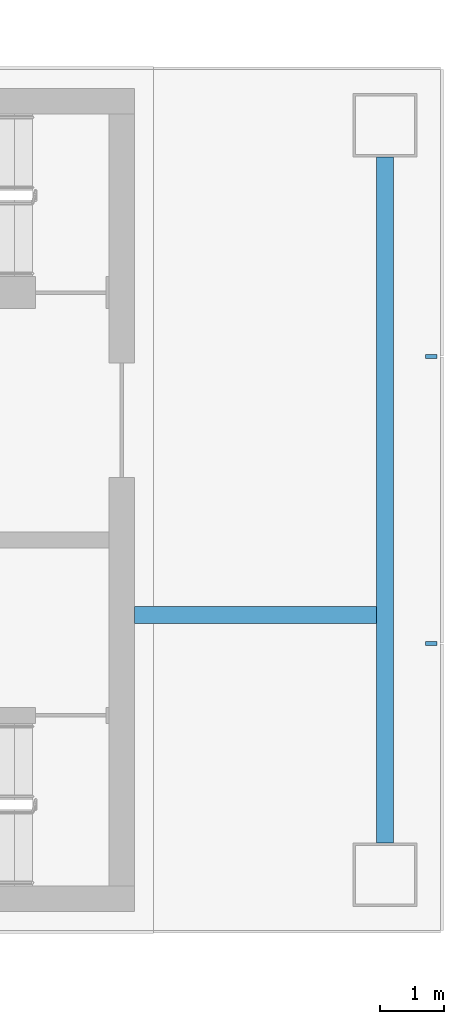
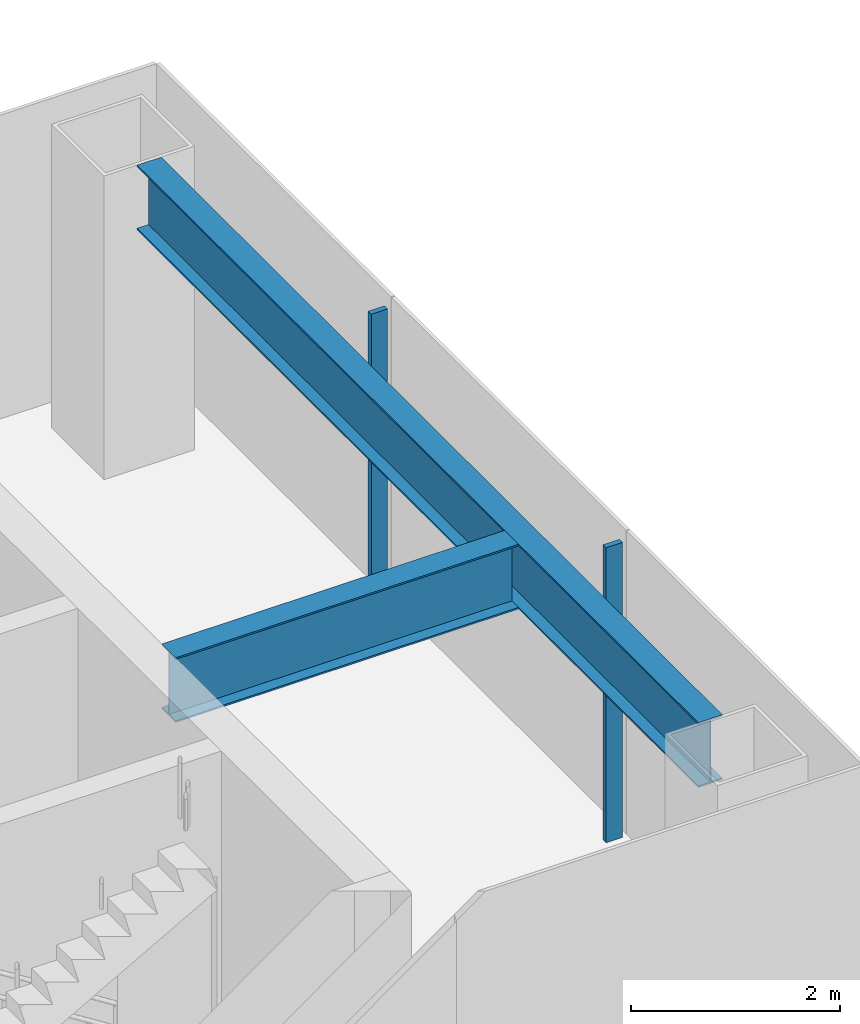
# One storey, part 6 of 16: 2 beams, 2 members, 1 element without a shape of its own.
"""IFC4 building model written with IfcOpenShell, lengths in metres."""

import ifcopenshell
import ifcopenshell.guid

model = None  # the IFC model being written
_history = None  # IfcOwnerHistory: only IFC2X3 demands one
_inside = {}  # id of a spatial element -> (the spatial element, [elements in it])
_under = {}  # id of a project, library or spatial element -> (it, [spatial elements below it])
_declared = {}  # id of a project -> (the project, [libraries it declares])
_typed = {}  # id of a type object -> (the type object, [elements of that type])
_made_of = {}  # id of a material, layer set ... -> (it, [elements and type objects made of it])


def new_model(schema):
    """Start an empty IFC model of exactly this schema.

    Asked for "IFC4X3", IfcOpenShell would pick the latest addendum, in which some entities
    have other attributes; the version numbers below select the first issue.
    IFC2X3 requires an IfcOwnerHistory on every rooted entity: one is made here for all.
    """
    global model, _history
    if schema == "IFC4X3":
        model = ifcopenshell.file(schema_version=(4, 3, 0, 0))
    else:
        model = ifcopenshell.file(schema=schema)
    _inside.clear()
    _under.clear()
    _declared.clear()
    _typed.clear()
    _made_of.clear()
    _history = None
    if model.schema == "IFC2X3":
        org = make("IfcOrganization", Name="unknown")
        user = make(
            "IfcPersonAndOrganization",
            ThePerson=make("IfcPerson", FamilyName="unknown"),
            TheOrganization=org,
        )
        app = make(
            "IfcApplication",
            ApplicationDeveloper=org,
            Version="unknown",
            ApplicationFullName="unknown",
            ApplicationIdentifier="unknown",
        )
        _history = make(
            "IfcOwnerHistory",
            OwningUser=user,
            OwningApplication=app,
            ChangeAction="ADDED",
            CreationDate=0,
        )
    return model


def make(cls, **values):
    """One entity of the class cls with the attributes given. An attribute that is None is left unset."""
    return model.create_entity(
        cls, **{name: value for name, value in values.items() if value is not None}
    )


def rooted(cls, **values):
    """An entity with a GlobalId (a new one), such as an element, a storey or a relation."""
    return make(cls, GlobalId=ifcopenshell.guid.new(), OwnerHistory=_history, **values)


def si_unit(unit_type, name, prefix=None):
    """IfcSIUnit, for example si_unit("LENGTHUNIT", "METRE", prefix="MILLI")."""
    return make("IfcSIUnit", UnitType=unit_type, Prefix=prefix, Name=name)


def assignment(units):
    """IfcUnitAssignment: the units of a project."""
    return None if units is None else make("IfcUnitAssignment", Units=units)


def point(xyz):
    """IfcCartesianPoint."""
    return None if xyz is None else make("IfcCartesianPoint", Coordinates=xyz)


def direction(xyz):
    """IfcDirection."""
    return None if xyz is None else make("IfcDirection", DirectionRatios=xyz)


def frame(location, z_axis=None, x_axis=None):
    """IfcAxis2Placement3D, a coordinate frame: its origin and axes. An axis left out is left unset."""
    return make(
        "IfcAxis2Placement3D",
        Location=point(location),
        Axis=direction(z_axis),
        RefDirection=direction(x_axis),
    )


def frame_2d(location, x_axis=None):
    """IfcAxis2Placement2D, a coordinate frame in the plane: its origin and x axis."""
    return make(
        "IfcAxis2Placement2D", Location=point(location), RefDirection=direction(x_axis)
    )


def origin():
    """The frame at (0, 0, 0) with its axes left unset."""
    return frame((0.0, 0.0, 0.0))


def origin_2d():
    """The frame at (0, 0) in the plane with its x axis left unset."""
    return frame_2d((0.0, 0.0))


def place(relative_to, where):
    """IfcLocalPlacement: puts the frame where relative to a parent placement (None: the world)."""
    return make(
        "IfcLocalPlacement", PlacementRelTo=relative_to, RelativePlacement=where
    )


def context(
    kind, dimensions, precision=None, world=None, true_north=None, identifier=None
):
    """IfcGeometricRepresentationContext, for example the 3D "Model" context."""
    return make(
        "IfcGeometricRepresentationContext",
        ContextIdentifier=identifier,
        ContextType=kind,
        CoordinateSpaceDimension=dimensions,
        Precision=precision,
        WorldCoordinateSystem=world,
        TrueNorth=true_north,
    )


def subcontext(parent, identifier, kind, view, scale=None):
    """IfcGeometricRepresentationSubContext, for example "Body" below "Model"."""
    return make(
        "IfcGeometricRepresentationSubContext",
        ContextIdentifier=identifier,
        ContextType=kind,
        ParentContext=parent,
        TargetScale=scale,
        TargetView=view,
    )


def project(units=None, contexts=None):
    """IfcProject with its units and contexts."""
    return rooted(
        "IfcProject",
        Name="project",
        RepresentationContexts=contexts,
        UnitsInContext=assignment(units),
    )


def spatial(cls, under=None, at=None, **own):
    """A site, building, storey or space (cls), placed at a placement, below another one or the project."""
    s = rooted(cls, ObjectPlacement=at, **own)
    if under is not None:
        _under.setdefault(under.id(), (under, []))[1].append(s)
    return s


def profile(cls, at=None, kind="AREA", **sizes):
    """A parametric profile (cls). Its sizes go by their IFC names, for example OverallWidth=200.0."""
    return make(cls, ProfileType=kind, Position=at, **sizes)


def rectangle(**sizes):
    """IfcRectangleProfileDef."""
    return profile("IfcRectangleProfileDef", **sizes)


def i_section(**sizes):
    """IfcIShapeProfileDef."""
    return profile("IfcIShapeProfileDef", **sizes)


def extrude(swept, where, along, depth):
    """IfcExtrudedAreaSolid: the profile swept, set in the frame where, extruded along a direction by depth."""
    return make(
        "IfcExtrudedAreaSolid",
        SweptArea=swept,
        Position=where,
        ExtrudedDirection=direction(along),
        Depth=depth,
    )


def shape(context_of_items, identifier, shape_type, items):
    """IfcShapeRepresentation: the items that make up one representation, for example the "Body"."""
    return make(
        "IfcShapeRepresentation",
        ContextOfItems=context_of_items,
        RepresentationIdentifier=identifier,
        RepresentationType=shape_type,
        Items=items,
    )


def material(Name=None, Category=None):
    """IfcMaterial."""
    return make("IfcMaterial", Name=Name, Category=Category)


def layer(
    of_material, thickness, ventilated=None, Name=None, Category=None, Priority=None
):
    """IfcMaterialLayer: one layer of a wall or slab, of a material (None: an air gap)."""
    return make(
        "IfcMaterialLayer",
        Material=of_material,
        LayerThickness=thickness,
        IsVentilated=ventilated,
        Name=Name,
        Category=Category,
        Priority=Priority,
    )


def layer_set(layers, Name=None):
    """IfcMaterialLayerSet."""
    return make("IfcMaterialLayerSet", MaterialLayers=layers, LayerSetName=Name)


def material_profile(
    of_material, cross_section, Name=None, Category=None, Priority=None
):
    """IfcMaterialProfile: a cross section and its material."""
    return make(
        "IfcMaterialProfile",
        Name=Name,
        Material=of_material,
        Profile=cross_section,
        Priority=Priority,
        Category=Category,
    )


def profile_set(profiles, Name=None, composite=None):
    """IfcMaterialProfileSet."""
    return make(
        "IfcMaterialProfileSet",
        Name=Name,
        MaterialProfiles=profiles,
        CompositeProfile=composite,
    )


def made_of(thing, what):
    """Note that an element or type object is made of a material, layer set ...; save() writes the relation."""
    if what is not None:
        _made_of.setdefault(what.id(), (what, []))[1].append(thing)
    return thing


def type_object(cls, material=None, **own):
    """A type object (cls), such as IfcWallType, which elements share."""
    return made_of(rooted(cls, **own), material)


def element(
    cls,
    number,
    at=None,
    inside=None,
    cuts=None,
    type_object=None,
    material=None,
    context=None,
    identifier="Body",
    shape_type=None,
    held_by="IfcProductDefinitionShape",
    body=None,
    shapes=None,
    **own,
):
    """One element of the class cls, such as IfcWall. Its Tag is "e" and its number.

    at: its placement. inside: the storey or other place that contains it. cuts: it is an
    opening in that element (IfcRelVoidsElement). A single representation is given by context,
    identifier, shape_type and body (its items); several are given by shapes. held_by: the class
    of the entity that holds the representations. save() writes the other relations.
    """
    e = rooted(cls, Tag="e%d" % number, ObjectPlacement=at, **own)
    if body is not None:
        shapes = [shape(context, identifier, shape_type, body)]
    if shapes is not None:
        e.Representation = make(held_by, Representations=shapes)
    if inside is not None:
        _inside.setdefault(inside.id(), (inside, []))[1].append(e)
    if cuts is not None:
        rooted(
            "IfcRelVoidsElement", RelatingBuildingElement=cuts, RelatedOpeningElement=e
        )
    if type_object is not None:
        _typed.setdefault(type_object.id(), (type_object, []))[1].append(e)
    return made_of(e, material)


def aggregate(whole, parts):
    """IfcRelAggregates: a whole, such as a stair, and the parts it consists of."""
    return rooted("IfcRelAggregates", RelatingObject=whole, RelatedObjects=parts)


def save(model, path):
    """Write the relations noted so far, then the file.

    IfcRelAggregates (storeys below a building ...), IfcRelContainedInSpatialStructure (elements
    in a storey), IfcRelDefinesByType, IfcRelAssociatesMaterial and IfcRelDeclares: one each for
    every whole, place, type object, material and project.
    """
    for whole, parts in _under.values():
        aggregate(whole, parts)
    for where, things in _inside.values():
        rooted(
            "IfcRelContainedInSpatialStructure",
            RelatedElements=things,
            RelatingStructure=where,
        )
    for kind, things in _typed.values():
        rooted("IfcRelDefinesByType", RelatedObjects=things, RelatingType=kind)
    for what, things in _made_of.values():
        rooted("IfcRelAssociatesMaterial", RelatedObjects=things, RelatingMaterial=what)
    for by, libraries in _declared.values():
        rooted("IfcRelDeclares", RelatingContext=by, RelatedDefinitions=libraries)
    model.write(path)


model = new_model("IFC4")

# Units and contexts
model_context = context("Model", 3, precision=1e-05, world=origin(), true_north=direction((0.0, 1.0)))
body_context = subcontext(model_context, "Body", "Model", "MODEL_VIEW")
ifc_project = project(units=[si_unit("LENGTHUNIT", "METRE"), si_unit("AREAUNIT", "SQUARE_METRE"), si_unit("VOLUMEUNIT", "CUBIC_METRE"), si_unit("PLANEANGLEUNIT", "RADIAN"), si_unit("MASSUNIT", "GRAM", prefix="KILO")], contexts=[model_context])

# Site, building, storey
site_placement = place(None, origin())
site = spatial("IfcSite", under=ifc_project, at=site_placement, CompositionType="ELEMENT")
building_placement = place(site_placement, origin())
building = spatial("IfcBuilding", under=site, at=building_placement, Name="Shamsa Quay Exchange Towers", CompositionType="ELEMENT")
storey_placement = place(building_placement, frame((0.0, 0.0, 190.5)))
storey = spatial("IfcBuildingStorey", under=building, at=storey_placement, Name="L45", CompositionType="ELEMENT", Elevation=190.5)

# Curtain wall, members
ifc_material_1 = material(Name="Aluminium EN AW-6063 T6, black anodised", Category="aluminium")
ifc_layer = layer(ifc_material_1, 0.280029296875)
ifc_layer_set = layer_set([ifc_layer], Name="CW-1 UNITISED VISION GLASS")
curtain_wall_type = type_object("IfcCurtainWallType", Name="CW-1 UNITISED VISION GLASS", PredefinedType="NOTDEFINED", material=ifc_layer_set)
curtain_wall_placement = place(storey_placement, origin())
curtain_wall = element("IfcCurtainWall", 1, at=curtain_wall_placement, inside=storey, type_object=curtain_wall_type, Name="CW1 T2-END-V- L45", PredefinedType="NOTDEFINED")
ifc_material_profile_1 = material_profile(ifc_material_1, rectangle(XDim=0.179931640625, YDim=0.06005859375, at=origin_2d()), Name="MU60x180")
ifc_profile_set_1 = profile_set([ifc_material_profile_1], Name="Aluminium EN AW-6063 T6, black anodised")
member_type = type_object("IfcMemberType", Name="CW1 MULLION 60x180", PredefinedType="MULLION", material=ifc_profile_set_1)
member_1_placement = place(storey_placement, frame((58.35009765625, -2.25, 0.0), z_axis=(0.0, 0.0, 1.0), x_axis=(-1.0, 0.0, 0.0)))
member_1 = element("IfcMember", 2, at=member_1_placement, type_object=member_type, Name="CW1 mullion", PredefinedType="MULLION", context=body_context, shape_type="SweptSolid", body=[
    extrude(rectangle(XDim=0.179931640625, YDim=0.06005859375, at=origin_2d()), origin(), (0.0, 0.0, 1.0), 3.449951171875),
])
member_2_placement = place(storey_placement, frame((58.35009765625, 2.25, 0.0), z_axis=(0.0, 0.0, 1.0), x_axis=(-1.0, 0.0, 0.0)))
member_2 = element("IfcMember", 3, at=member_2_placement, type_object=member_type, Name="CW1 mullion", PredefinedType="MULLION", context=body_context, shape_type="SweptSolid", body=[
    extrude(rectangle(XDim=0.179931640625, YDim=0.06005859375, at=origin_2d()), origin(), (0.0, 0.0, 1.0), 3.449951171875),
])
aggregate(curtain_wall, [member_1, member_2])

# Beams
ifc_material_2 = material(Name="Steel S355", Category="steel")
ifc_material_profile_2 = material_profile(ifc_material_2, i_section(OverallWidth=0.26611328125, OverallDepth=0.7578125, WebThickness=0.013916015625, FlangeThickness=0.019287109375, at=origin_2d()), Name="W30x108")
ifc_profile_set_2 = profile_set([ifc_material_profile_2], Name="Steel S355")
beam_type = type_object("IfcBeamType", Name="End-zone beam W30x108", PredefinedType="BEAM", material=ifc_profile_set_2)
beam_1_placement = place(storey_placement, frame((57.625, -5.375, 3.171142578125), z_axis=(0.0, 1.0, 0.0), x_axis=(-1.0, 0.0, 0.0)))
element("IfcBeam", 4, at=beam_1_placement, inside=storey, type_object=beam_type, Name="End beam T2 V- end zone L45", PredefinedType="BEAM", context=body_context, shape_type="SweptSolid", body=[
    extrude(i_section(OverallWidth=0.26611328125, OverallDepth=0.7578125, WebThickness=0.013916015625, FlangeThickness=0.019287109375, at=origin_2d()), origin(), (0.0, 0.0, 1.0), 10.75),
])
beam_2_placement = place(storey_placement, frame((53.699951171875, -1.800048828125, 3.171142578125), z_axis=(1.0, 0.0, 0.0), x_axis=(0.0, 1.0, 0.0)))
element("IfcBeam", 5, at=beam_2_placement, inside=storey, type_object=beam_type, Name="Spine beam T2 V- end zone L45", PredefinedType="BEAM", context=body_context, shape_type="SweptSolid", body=[
    extrude(i_section(OverallWidth=0.26611328125, OverallDepth=0.7578125, WebThickness=0.013916015625, FlangeThickness=0.019287109375, at=origin_2d()), origin(), (0.0, 0.0, 1.0), 3.7919921875),
])

save(model, "model.ifc")
